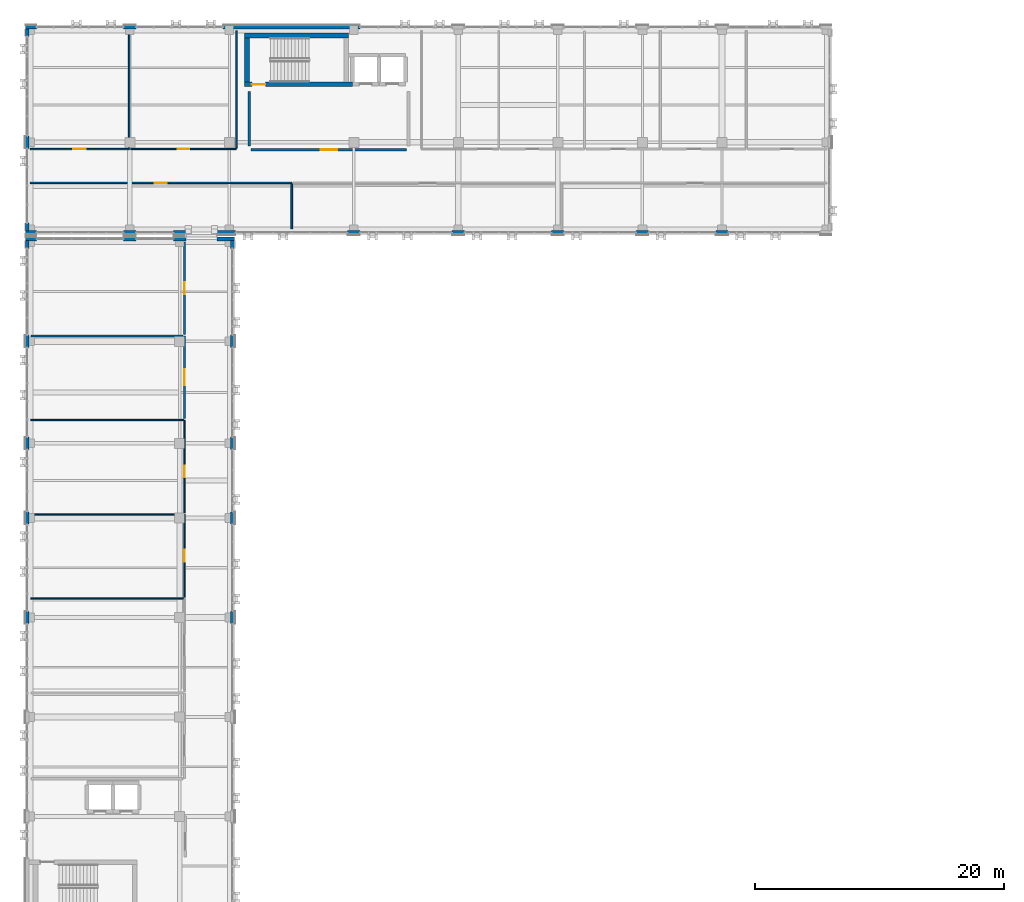
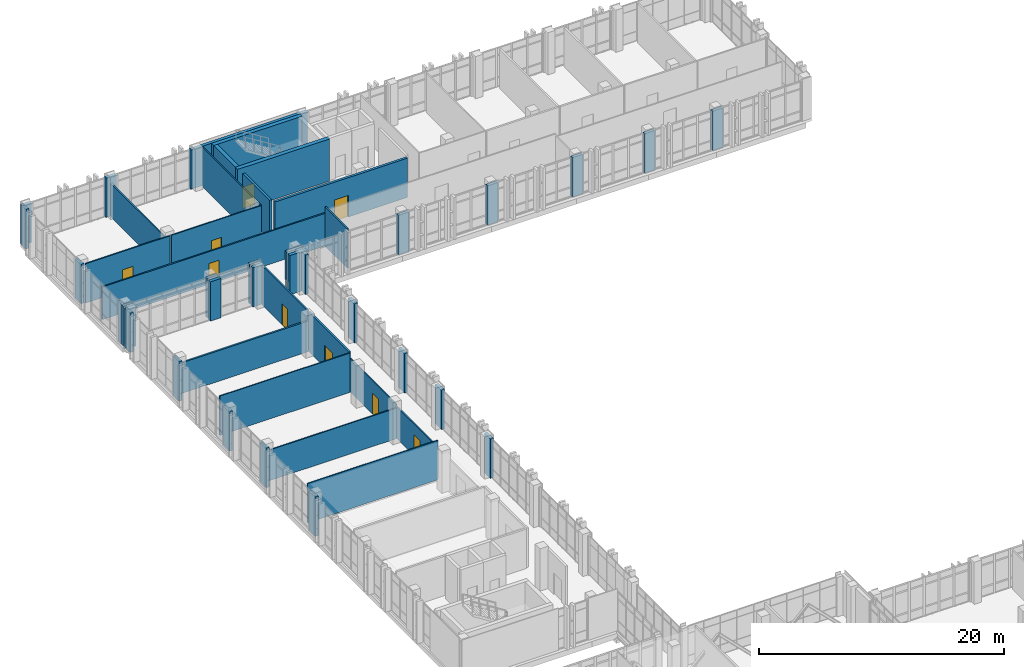
# One storey, part 137 of 165: 48 walls, 9 doors, 9 openings.
"""IFC4 building model written with IfcOpenShell, lengths in metres."""

from ifc_helpers import new_model, si_unit, direction, frame, frame_2d, origin, place, context, subcontext, project, spatial, rectangle, extrude, material, layer, layer_set, type_object, element, fill, save


model = new_model("IFC4")

# Units and contexts
model_context = context("Model", 3, precision=1e-05, world=origin(), true_north=direction((0.0, 1.0)))
body_context = subcontext(model_context, "Body", "Model", "MODEL_VIEW")
ifc_project = project(units=[si_unit("LENGTHUNIT", "METRE"), si_unit("AREAUNIT", "SQUARE_METRE"), si_unit("VOLUMEUNIT", "CUBIC_METRE"), si_unit("PLANEANGLEUNIT", "RADIAN"), si_unit("MASSUNIT", "GRAM", prefix="KILO")], contexts=[model_context])

# Site, building, storey
site_placement = place(None, origin())
site = spatial("IfcSite", under=ifc_project, at=site_placement, CompositionType="ELEMENT")
building_placement = place(site_placement, origin())
building = spatial("IfcBuilding", under=site, at=building_placement, Name="Qalavern Law Courts", CompositionType="ELEMENT")
storey_placement = place(building_placement, frame((0.0, 0.0, 14.39990234375)))
storey = spatial("IfcBuildingStorey", under=building, at=storey_placement, Name="L03", CompositionType="ELEMENT", Elevation=14.39990234375)

# Walls
ifc_material_1 = material(Name="Concrete C40/50", Category="concrete")
ifc_layer_1 = layer(ifc_material_1, 0.294921875)
ifc_layer_set_1 = layer_set([ifc_layer_1], Name="Concrete C40/50")
wall_type_1 = type_object("IfcWallType", Name="ENV-EW-295", PredefinedType="SOLIDWALL", material=ifc_layer_set_1)
for number, where, z_axis, x_axis, name in (
    (1, (18.652587890625, 64.89990234375, 0.0), (0.0, 0.0, 1.0), (0.0, 1.0, 0.0), "V3 exterior pier wall L03 east 4"),
    (2, (18.652587890625, 72.89990234375, 0.0), (0.0, 0.0, 1.0), (0.0, 1.0, 0.0), "V3 exterior pier wall L03 east 5"),
    (3, (18.652587890625, 78.89990234375, 0.0), (0.0, 0.0, 1.0), (0.0, 1.0, 0.0), "V3 exterior pier wall L03 east 6"),
    (4, (18.652587890625, 87.10009765625, 0.0), (0.0, 0.0, 1.0), (0.0, 1.0, 0.0), "V3 exterior pier wall L03 east 7"),
):
    element("IfcWall", number, at=place(storey_placement, frame(where, z_axis=z_axis, x_axis=x_axis)), inside=storey, type_object=wall_type_1, Name=name, PredefinedType="SOLIDWALL", context=body_context, shape_type="SweptSolid", body=[
        extrude(rectangle(XDim=1.0, YDim=0.294921875, at=frame_2d((0.5, 0.0))), origin(), (0.0, 0.0, 1.0), 3.920166015625),
    ])
wall_1_placement = place(storey_placement, frame((18.652587890625, 95.080078125, 0.0), z_axis=(0.0, 0.0, 1.0), x_axis=(0.0, 1.0, 0.0)))
element("IfcWall", 5, at=wall_1_placement, inside=storey, type_object=wall_type_1, Name="V3 exterior pier wall L03 east 8", PredefinedType="SOLIDWALL", context=body_context, shape_type="SweptSolid", body=[
    extrude(rectangle(XDim=0.60986328125, YDim=0.294921875, at=frame_2d((0.304931640625, 0.0))), origin(), (0.0, 0.0, 1.0), 3.920166015625),
])
wall_2_placement = place(storey_placement, frame((18.800048828125, 95.83251953125, 0.0), z_axis=(0.0, 0.0, 1.0), x_axis=(-1.0, 0.0, 0.0)))
element("IfcWall", 6, at=wall_2_placement, inside=storey, type_object=wall_type_1, Name="V3 exterior wall L03 north 1", PredefinedType="SOLIDWALL", context=body_context, shape_type="SweptSolid", body=[
    extrude(rectangle(XDim=1.400146484375, YDim=0.294921875, at=frame_2d((0.7001953125, 0.0))), origin(), (0.0, 0.0, 1.0), 3.920166015625),
])
for number, where, z_axis, x_axis, name in (
    (7, (14.89990234375, 95.83251953125, 0.0), (0.0, 0.0, 1.0), (-1.0, 0.0, 0.0), "V3 exterior pier wall L03 north 1"),
    (8, (10.89990234375, 95.83251953125, 0.0), (0.0, 0.0, 1.0), (-1.0, 0.0, 0.0), "V3 exterior pier wall L03 north 2"),
):
    element("IfcWall", number, at=place(storey_placement, frame(where, z_axis=z_axis, x_axis=x_axis)), inside=storey, type_object=wall_type_1, Name=name, PredefinedType="SOLIDWALL", context=body_context, shape_type="SweptSolid", body=[
        extrude(rectangle(XDim=1.0, YDim=0.294921875, at=frame_2d((0.5, 0.0))), origin(), (0.0, 0.0, 1.0), 3.920166015625),
    ])
wall_3_placement = place(storey_placement, frame((2.89990234375, 95.83251953125, 0.0), z_axis=(0.0, 0.0, 1.0), x_axis=(-1.0, 0.0, 0.0)))
element("IfcWall", 9, at=wall_3_placement, inside=storey, type_object=wall_type_1, Name="V3 exterior pier wall L03 north 3", PredefinedType="SOLIDWALL", context=body_context, shape_type="SweptSolid", body=[
    extrude(rectangle(XDim=0.89990234375, YDim=0.294921875, at=frame_2d((0.449951171875, 0.0))), origin(), (0.0, 0.0, 1.0), 3.920166015625),
])
wall_4_placement = place(storey_placement, frame((2.1474609375, 95.68994140625, 0.0), z_axis=(0.0, 0.0, 1.0), x_axis=(0.0, -1.0, 0.0)))
element("IfcWall", 10, at=wall_4_placement, inside=storey, type_object=wall_type_1, Name="V3 exterior pier wall L03 west 1", PredefinedType="SOLIDWALL", context=body_context, shape_type="SweptSolid", body=[
    extrude(rectangle(XDim=0.60986328125, YDim=0.294921875, at=frame_2d((0.304931640625, 0.0))), origin(), (0.0, 0.0, 1.0), 3.920166015625),
])
for number, where, z_axis, x_axis, name in (
    (11, (2.1474609375, 88.10009765625, 0.0), (0.0, 0.0, 1.0), (0.0, -1.0, 0.0), "V3 exterior pier wall L03 west 2"),
    (12, (2.1474609375, 79.89990234375, 0.0), (0.0, 0.0, 1.0), (0.0, -1.0, 0.0), "V3 exterior pier wall L03 west 3"),
    (13, (2.1474609375, 73.89990234375, 0.0), (0.0, 0.0, 1.0), (0.0, -1.0, 0.0), "V3 exterior pier wall L03 west 4"),
    (14, (2.1474609375, 65.89990234375, 0.0), (0.0, 0.0, 1.0), (0.0, -1.0, 0.0), "V3 exterior pier wall L03 west 5"),
):
    element("IfcWall", number, at=place(storey_placement, frame(where, z_axis=z_axis, x_axis=x_axis)), inside=storey, type_object=wall_type_1, Name=name, PredefinedType="SOLIDWALL", context=body_context, shape_type="SweptSolid", body=[
        extrude(rectangle(XDim=1.0, YDim=0.294921875, at=frame_2d((0.5, 0.0))), origin(), (0.0, 0.0, 1.0), 3.920166015625),
    ])
wall_5_placement = place(storey_placement, frame((2.0, 96.347412109375, 0.0), z_axis=(0.0, 0.0, 1.0), x_axis=(1.0, 0.0, 0.0)))
element("IfcWall", 15, at=wall_5_placement, inside=storey, type_object=wall_type_1, Name="V5 exterior pier wall L03 south 1", PredefinedType="SOLIDWALL", context=body_context, shape_type="SweptSolid", body=[
    extrude(rectangle(XDim=0.89990234375, YDim=0.294921875, at=frame_2d((0.449951171875, 0.0))), origin(), (0.0, 0.0, 1.0), 3.920166015625),
])
for number, where, z_axis, x_axis, name in (
    (16, (9.89990234375, 96.347412109375, 0.0), (0.0, 0.0, 1.0), (1.0, 0.0, 0.0), "V5 exterior pier wall L03 south 2"),
    (17, (13.89990234375, 96.347412109375, 0.0), (0.0, 0.0, 1.0), (1.0, 0.0, 0.0), "V5 exterior pier wall L03 south 3"),
):
    element("IfcWall", number, at=place(storey_placement, frame(where, z_axis=z_axis, x_axis=x_axis)), inside=storey, type_object=wall_type_1, Name=name, PredefinedType="SOLIDWALL", context=body_context, shape_type="SweptSolid", body=[
        extrude(rectangle(XDim=1.0, YDim=0.294921875, at=frame_2d((0.5, 0.0))), origin(), (0.0, 0.0, 1.0), 3.920166015625),
    ])
wall_6_placement = place(storey_placement, frame((17.39990234375, 96.347412109375, 0.0), z_axis=(0.0, 0.0, 1.0), x_axis=(1.0, 0.0, 0.0)))
element("IfcWall", 18, at=wall_6_placement, inside=storey, type_object=wall_type_1, Name="V5 exterior pier wall L03 south 1", PredefinedType="SOLIDWALL", context=body_context, shape_type="SweptSolid", body=[
    extrude(rectangle(XDim=1.5, YDim=0.294921875, at=frame_2d((0.75, 0.0))), origin(), (0.0, 0.0, 1.0), 3.920166015625),
])
for number, where, z_axis, x_axis, name in (
    (19, (27.89990234375, 96.347412109375, 0.0), (0.0, 0.0, 1.0), (1.0, 0.0, 0.0), "V5 exterior pier wall L03 south 2"),
    (20, (36.300048828125, 96.347412109375, 0.0), (0.0, 0.0, 1.0), (1.0, 0.0, 0.0), "V5 exterior pier wall L03 south 3"),
    (21, (44.300048828125, 96.347412109375, 0.0), (0.0, 0.0, 1.0), (1.0, 0.0, 0.0), "V5 exterior pier wall L03 south 4"),
    (22, (51.10009765625, 96.347412109375, 0.0), (0.0, 0.0, 1.0), (1.0, 0.0, 0.0), "V5 exterior pier wall L03 south 5"),
    (23, (57.5, 96.347412109375, 0.0), (0.0, 0.0, 1.0), (1.0, 0.0, 0.0), "V5 exterior pier wall L03 south 6"),
):
    element("IfcWall", number, at=place(storey_placement, frame(where, z_axis=z_axis, x_axis=x_axis)), inside=storey, type_object=wall_type_1, Name=name, PredefinedType="SOLIDWALL", context=body_context, shape_type="SweptSolid", body=[
        extrude(rectangle(XDim=1.0, YDim=0.294921875, at=frame_2d((0.5, 0.0))), origin(), (0.0, 0.0, 1.0), 3.920166015625),
    ])
wall_7_placement = place(storey_placement, frame((28.89990234375, 112.8525390625, 0.0), z_axis=(0.0, 0.0, 1.0), x_axis=(-1.0, 0.0, 0.0)))
element("IfcWall", 24, at=wall_7_placement, inside=storey, type_object=wall_type_1, Name="V5 exterior pier wall L03 north 6", PredefinedType="SOLIDWALL", context=body_context, shape_type="SweptSolid", body=[
    extrude(rectangle(XDim=11.0, YDim=0.294921875, at=frame_2d((5.5, 0.0))), origin(), (0.0, 0.0, 1.0), 3.920166015625),
])
wall_8_placement = place(storey_placement, frame((10.89990234375, 112.8525390625, 0.0), z_axis=(0.0, 0.0, 1.0), x_axis=(-1.0, 0.0, 0.0)))
element("IfcWall", 25, at=wall_8_placement, inside=storey, type_object=wall_type_1, Name="V5 exterior pier wall L03 north 7", PredefinedType="SOLIDWALL", context=body_context, shape_type="SweptSolid", body=[
    extrude(rectangle(XDim=1.0, YDim=0.294921875, at=frame_2d((0.5, 0.0))), origin(), (0.0, 0.0, 1.0), 3.920166015625),
])
wall_9_placement = place(storey_placement, frame((2.89990234375, 112.8525390625, 0.0), z_axis=(0.0, 0.0, 1.0), x_axis=(-1.0, 0.0, 0.0)))
element("IfcWall", 26, at=wall_9_placement, inside=storey, type_object=wall_type_1, Name="V5 exterior pier wall L03 north 8", PredefinedType="SOLIDWALL", context=body_context, shape_type="SweptSolid", body=[
    extrude(rectangle(XDim=0.89990234375, YDim=0.294921875, at=frame_2d((0.449951171875, 0.0))), origin(), (0.0, 0.0, 1.0), 3.920166015625),
])
wall_10_placement = place(storey_placement, frame((2.1474609375, 112.7099609375, 0.0), z_axis=(0.0, 0.0, 1.0), x_axis=(0.0, -1.0, 0.0)))
element("IfcWall", 27, at=wall_10_placement, inside=storey, type_object=wall_type_1, Name="V5 exterior pier wall L03 west 1", PredefinedType="SOLIDWALL", context=body_context, shape_type="SweptSolid", body=[
    extrude(rectangle(XDim=0.60986328125, YDim=0.294921875, at=frame_2d((0.304931640625, 0.0))), origin(), (0.0, 0.0, 1.0), 3.920166015625),
])
wall_11_placement = place(storey_placement, frame((2.1474609375, 104.10009765625, 0.0), z_axis=(0.0, 0.0, 1.0), x_axis=(0.0, -1.0, 0.0)))
element("IfcWall", 28, at=wall_11_placement, inside=storey, type_object=wall_type_1, Name="V5 exterior pier wall L03 west 2", PredefinedType="SOLIDWALL", context=body_context, shape_type="SweptSolid", body=[
    extrude(rectangle(XDim=1.0, YDim=0.294921875, at=frame_2d((0.5, 0.0))), origin(), (0.0, 0.0, 1.0), 3.920166015625),
])
wall_12_placement = place(storey_placement, frame((2.1474609375, 97.10009765625, 0.0), z_axis=(0.0, 0.0, 1.0), x_axis=(0.0, -1.0, 0.0)))
element("IfcWall", 29, at=wall_12_placement, inside=storey, type_object=wall_type_1, Name="V5 exterior pier wall L03 west 3", PredefinedType="SOLIDWALL", context=body_context, shape_type="SweptSolid", body=[
    extrude(rectangle(XDim=0.610107421875, YDim=0.294921875, at=frame_2d((0.30517578125, 0.0))), origin(), (0.0, 0.0, 1.0), 3.920166015625),
])

# Wall, opening, door
ifc_material_2 = material(Name="Concrete C45/55", Category="concrete")
ifc_layer_2 = layer(ifc_material_2, 0.375)
ifc_layer_set_2 = layer_set([ifc_layer_2], Name="Concrete C45/55")
wall_type_2 = type_object("IfcWallType", Name="INT-CW-375", PredefinedType="SHEAR", material=ifc_layer_set_2)
wall_13_placement = place(storey_placement, frame((19.625, 108.262451171875, 0.0), z_axis=(0.0, 0.0, 1.0), x_axis=(1.0, 0.0, 0.0)))
wall_13 = element("IfcWall", 30, at=wall_13_placement, inside=storey, type_object=wall_type_2, Name="Core K3 stair shear wall L03 south", PredefinedType="SHEAR", context=body_context, shape_type="SweptSolid", body=[
    extrude(rectangle(XDim=8.66943359375, YDim=0.375, at=frame_2d((4.334716796875, 0.0))), origin(), (0.0, 0.0, 1.0), 4.2001953125),
])
opening_1_placement = place(wall_13_placement, frame((0.574951171875, 0.0, 0.0)))
opening_1 = element("IfcOpeningElement", 31, at=opening_1_placement, cuts=wall_13, Name="Opening L03-D079", PredefinedType="OPENING", context=body_context, shape_type="SweptSolid", body=[
    extrude(rectangle(XDim=1.10009765625, YDim=2.14990234375, at=frame_2d((0.550048828125, 1.074951171875))), frame((0.0, 0.202392578125, 0.0), z_axis=(0.0, -1.0, 0.0), x_axis=(1.0, 0.0, 0.0)), (0.0, 0.0, 1.0), 0.40478515625),
])
ifc_material_3 = material(Name="Steel fire-rated stair enclosure door", Category="steel")
door_type_1 = type_object("IfcDoorType", Name="INT-FD-1100x2150", OperationType="NOTDEFINED", PredefinedType="DOOR", material=ifc_material_3)
door_1_placement = place(opening_1_placement, frame((1.10009765625, 0.0, 0.0), z_axis=(0.0, 0.0, 1.0), x_axis=(-1.0, 0.0, 0.0)))
door_1 = element("IfcDoor", 32, at=door_1_placement, inside=storey, type_object=door_type_1, Name="Stair K3 fire door L03", OperationType="SINGLE_SWING_RIGHT", OverallHeight=2.14990234375, OverallWidth=1.10009765625, PredefinedType="DOOR", context=body_context, shape_type="SweptSolid", body=[
    extrude(rectangle(XDim=1.10009765625, YDim=2.14990234375, at=frame_2d((0.550048828125, 1.074951171875))), frame((0.0, 0.02490234375, 0.0), z_axis=(0.0, -1.0, 0.0), x_axis=(1.0, 0.0, 0.0)), (0.0, 0.0, 1.0), 0.050048828125),
])
fill(opening_1, door_1)

# Walls
wall_14_placement = place(storey_placement, frame((27.97509765625, 112.1875, 0.0), z_axis=(0.0, 0.0, 1.0), x_axis=(-1.0, 0.0, 0.0)))
element("IfcWall", 33, at=wall_14_placement, inside=storey, type_object=wall_type_2, Name="Core K3 stair shear wall L03 north", PredefinedType="SHEAR", context=body_context, shape_type="SweptSolid", body=[
    extrude(rectangle(XDim=8.35009765625, YDim=0.375, at=frame_2d((4.175048828125, 0.0))), origin(), (0.0, 0.0, 1.0), 4.2001953125),
])
wall_15_placement = place(storey_placement, frame((19.8125, 112.0, 0.0), z_axis=(0.0, 0.0, 1.0), x_axis=(0.0, -1.0, 0.0)))
element("IfcWall", 34, at=wall_15_placement, inside=storey, type_object=wall_type_2, Name="Core K3 stair shear wall L03 west", PredefinedType="SHEAR", context=body_context, shape_type="SweptSolid", body=[
    extrude(rectangle(XDim=3.550048828125, YDim=0.375, at=frame_2d((1.77490234375, 0.0))), origin(), (0.0, 0.0, 1.0), 4.2001953125),
])

# Wall, opening, door
ifc_layer_3 = layer(ifc_material_1, 0.22509765625)
ifc_layer_set_3 = layer_set([ifc_layer_3], Name="Concrete C40/50")
wall_type_3 = type_object("IfcWallType", Name="INT-FW-225", PredefinedType="PARTITIONING", material=ifc_layer_set_3)
wall_16_placement = place(storey_placement, frame((20.14990234375, 103.0, 0.0), z_axis=(0.0, 0.0, 1.0), x_axis=(1.0, 0.0, 0.0)))
wall_16 = element("IfcWall", 35, at=wall_16_placement, inside=storey, type_object=wall_type_3, Name="Core K3 firefighting/stair lobby fire wall L03", PredefinedType="PARTITIONING", context=body_context, shape_type="SweptSolid", body=[
    extrude(rectangle(XDim=12.5, YDim=0.22509765625, at=frame_2d((6.25, 0.0))), origin(), (0.0, 0.0, 1.0), 3.920166015625),
])
opening_2_placement = place(wall_16_placement, frame((5.60009765625, 0.0, 0.0)))
opening_2 = element("IfcOpeningElement", 36, at=opening_2_placement, cuts=wall_16, Name="Opening L03-D080", PredefinedType="OPENING", context=body_context, shape_type="SweptSolid", body=[
    extrude(rectangle(XDim=1.300048828125, YDim=2.14990234375, at=frame_2d((0.64990234375, 1.074951171875))), frame((0.0, 0.12744140625, 0.0), z_axis=(0.0, -1.0, 0.0), x_axis=(1.0, 0.0, 0.0)), (0.0, 0.0, 1.0), 0.2548828125),
])
ifc_material_4 = material(Name="Steel fire-rated frame and acoustic timber leaves", Category="steel")
door_type_2 = type_object("IfcDoorType", Name="INT-FD-1300x2150", OperationType="DOUBLE_DOOR_SINGLE_SWING", PredefinedType="DOOR", material=ifc_material_4)
door_2_placement = place(opening_2_placement, origin())
door_2 = element("IfcDoor", 37, at=door_2_placement, inside=storey, type_object=door_type_2, Name="Core K3 lobby fire door L03", OperationType="DOUBLE_DOOR_SINGLE_SWING", OverallHeight=2.14990234375, OverallWidth=1.300048828125, PredefinedType="DOOR", context=body_context, shape_type="SweptSolid", body=[
    extrude(rectangle(XDim=1.300048828125, YDim=2.14990234375, at=frame_2d((0.64990234375, 1.074951171875))), frame((0.0, 0.02490234375, 0.0), z_axis=(0.0, -1.0, 0.0), x_axis=(1.0, 0.0, 0.0)), (0.0, 0.0, 1.0), 0.050048828125),
])
fill(opening_2, door_2)

# Walls
wall_17_placement = place(storey_placement, frame((20.0, 103.300048828125, 0.0), z_axis=(0.0, 0.0, 1.0), x_axis=(0.0, 1.0, 0.0)))
element("IfcWall", 38, at=wall_17_placement, inside=storey, type_object=wall_type_3, Name="Core K3 lobby return wall L03 west", PredefinedType="PARTITIONING", context=body_context, shape_type="SweptSolid", body=[
    extrude(rectangle(XDim=4.39990234375, YDim=0.22509765625, at=frame_2d((2.199951171875, 0.0))), origin(), (0.0, 0.0, 1.0), 3.920166015625),
])
ifc_material_5 = material(Name="Gypsum shaft/chase partition")
ifc_layer_4 = layer(ifc_material_5, 0.092041015625)
ifc_layer_set_4 = layer_set([ifc_layer_4], Name="Gypsum shaft/chase partition")
wall_type_4 = type_object("IfcWallType", Name="INT-PW-092", PredefinedType="PARTITIONING", material=ifc_layer_set_4)
wall_18_placement = place(storey_placement, frame((2.43994140625, 66.924072265625, 0.0), z_axis=(0.0, 0.0, 1.0), x_axis=(1.0, 0.0, 0.0)))
element("IfcWall", 39, at=wall_18_placement, inside=storey, type_object=wall_type_4, Name="Administrative Courtroom cross partition L03 north", PredefinedType="PARTITIONING", context=body_context, shape_type="SweptSolid", body=[
    extrude(rectangle(XDim=12.2841796875, YDim=0.092041015625, at=frame_2d((6.14208984375, 0.0))), origin(), (0.0, 0.0, 1.0), 3.920166015625),
])

# Wall, opening, door
ifc_material_6 = material(Name="Gypsum sanitary partition")
ifc_layer_5 = layer(ifc_material_6, 0.10205078125)
ifc_layer_set_5 = layer_set([ifc_layer_5], Name="Gypsum sanitary partition")
wall_type_5 = type_object("IfcWallType", Name="INT-PW-102", PredefinedType="PARTITIONING", material=ifc_layer_set_5)
wall_19_placement = place(storey_placement, frame((14.7900390625, 73.804931640625, 0.0), z_axis=(0.0, 0.0, 1.0), x_axis=(0.0, 1.0, 0.0)))
wall_19 = element("IfcWall", 40, at=wall_19_placement, inside=storey, type_object=wall_type_5, Name="Jury Deliberation Suite corridor partition L03", PredefinedType="PARTITIONING", context=body_context, shape_type="SweptSolid", body=[
    extrude(rectangle(XDim=7.466064453125, YDim=0.10205078125, at=frame_2d((3.73291015625, 0.0))), origin(), (0.0, 0.0, 1.0), 3.35009765625),
])
opening_3_placement = place(wall_19_placement, frame((2.85302734375, 0.0, 0.0)))
opening_3 = element("IfcOpeningElement", 41, at=opening_3_placement, cuts=wall_19, Name="Opening L03-D225", PredefinedType="OPENING", context=body_context, shape_type="SweptSolid", body=[
    extrude(rectangle(XDim=0.9599609375, YDim=2.080078125, at=frame_2d((0.47998046875, 1.0400390625))), frame((0.0, 0.06591796875, 0.0), z_axis=(0.0, -1.0, 0.0), x_axis=(1.0, 0.0, 0.0)), (0.0, 0.0, 1.0), 0.1318359375),
])
ifc_material_7 = material(Name="Timber Counsel Consultation door", Category="wood")
door_type_3 = type_object("IfcDoorType", Name="INT-ID-960x2080", OperationType="NOTDEFINED", PredefinedType="DOOR", material=ifc_material_7)
door_3_placement = place(opening_3_placement, frame((0.9599609375, 0.0, 0.0), z_axis=(0.0, 0.0, 1.0), x_axis=(-1.0, 0.0, 0.0)))
door_3 = element("IfcDoor", 42, at=door_3_placement, inside=storey, type_object=door_type_3, Name="Jury Deliberation Suite door L03", OperationType="SINGLE_SWING_LEFT", OverallHeight=2.080078125, OverallWidth=0.9599609375, PredefinedType="DOOR", context=body_context, shape_type="SweptSolid", body=[
    extrude(rectangle(XDim=0.9599609375, YDim=2.080078125, at=frame_2d((0.47998046875, 1.0400390625))), frame((0.0, 0.02490234375, 0.0), z_axis=(0.0, -1.0, 0.0), x_axis=(1.0, 0.0, 0.0)), (0.0, 0.0, 1.0), 0.050048828125),
])
fill(opening_3, door_3)

# Wall
wall_20_placement = place(storey_placement, frame((2.43994140625, 81.27099609375, 0.0), z_axis=(0.0, 0.0, 1.0), x_axis=(1.0, 0.0, 0.0)))
element("IfcWall", 43, at=wall_20_placement, inside=storey, type_object=wall_type_5, Name="Jury Deliberation Suite cross partition L03 north", PredefinedType="PARTITIONING", context=body_context, shape_type="SweptSolid", body=[
    extrude(rectangle(XDim=12.279052734375, YDim=0.10205078125, at=frame_2d((6.1396484375, 0.0))), origin(), (0.0, 0.0, 1.0), 3.920166015625),
])

# Wall, opening, door
ifc_material_8 = material(Name="Gypsum stud partition")
ifc_layer_6 = layer(ifc_material_8, 0.112060546875)
ifc_layer_set_6 = layer_set([ifc_layer_6], Name="Gypsum stud partition")
wall_type_6 = type_object("IfcWallType", Name="INT-PW-112", PredefinedType="PARTITIONING", material=ifc_layer_set_6)
wall_21_placement = place(storey_placement, frame((14.7900390625, 67.0439453125, 0.0), z_axis=(0.0, 0.0, 1.0), x_axis=(0.0, 1.0, 0.0)))
wall_21 = element("IfcWall", 44, at=wall_21_placement, inside=storey, type_object=wall_type_6, Name="Witness Waiting Room corridor partition L03", PredefinedType="PARTITIONING", context=body_context, shape_type="SweptSolid", body=[
    extrude(rectangle(XDim=6.64111328125, YDim=0.112060546875, at=frame_2d((3.320556640625, 0.0))), origin(), (0.0, 0.0, 1.0), 3.150146484375),
])
opening_4_placement = place(wall_21_placement, frame((2.83056640625, 0.0, 0.0)))
opening_4 = element("IfcOpeningElement", 45, at=opening_4_placement, cuts=wall_21, Name="Opening L03-D224", PredefinedType="OPENING", context=body_context, shape_type="SweptSolid", body=[
    extrude(rectangle(XDim=0.97998046875, YDim=2.090087890625, at=frame_2d((0.489990234375, 1.044921875))), frame((0.0, 0.07080078125, 0.0), z_axis=(0.0, -1.0, 0.0), x_axis=(1.0, 0.0, 0.0)), (0.0, 0.0, 1.0), 0.141845703125),
])
ifc_material_9 = material(Name="Timber Legal Research Office door", Category="wood")
door_type_4 = type_object("IfcDoorType", Name="INT-ID-980x2090", OperationType="NOTDEFINED", PredefinedType="DOOR", material=ifc_material_9)
door_4_placement = place(opening_4_placement, frame((0.97998046875, 0.0, 0.0), z_axis=(0.0, 0.0, 1.0), x_axis=(-1.0, 0.0, 0.0)))
door_4 = element("IfcDoor", 46, at=door_4_placement, inside=storey, type_object=door_type_4, Name="Witness Waiting Room door L03", OperationType="SINGLE_SWING_RIGHT", OverallHeight=2.090087890625, OverallWidth=0.97998046875, PredefinedType="DOOR", context=body_context, shape_type="SweptSolid", body=[
    extrude(rectangle(XDim=0.97998046875, YDim=2.090087890625, at=frame_2d((0.489990234375, 1.044921875))), frame((0.0, 0.02490234375, 0.0), z_axis=(0.0, -1.0, 0.0), x_axis=(1.0, 0.0, 0.0)), (0.0, 0.0, 1.0), 0.050048828125),
])
fill(opening_4, door_4)

# Wall
wall_22_placement = place(storey_placement, frame((2.43994140625, 73.68505859375, 0.0), z_axis=(0.0, 0.0, 1.0), x_axis=(1.0, 0.0, 0.0)))
element("IfcWall", 47, at=wall_22_placement, inside=storey, type_object=wall_type_6, Name="Witness Waiting Room cross partition L03 north", PredefinedType="PARTITIONING", context=body_context, shape_type="SweptSolid", body=[
    extrude(rectangle(XDim=12.274169921875, YDim=0.112060546875, at=frame_2d((6.13720703125, 0.0))), origin(), (0.0, 0.0, 1.0), 3.050048828125),
])

# Wall, opening, door
wall_23_placement = place(storey_placement, frame((10.455078125, 103.06005859375, 0.0), z_axis=(0.0, 0.0, 1.0), x_axis=(1.0, 0.0, 0.0)))
wall_23 = element("IfcWall", 48, at=wall_23_placement, inside=storey, type_object=wall_type_6, Name="Accessible WC corridor partition L03", PredefinedType="PARTITIONING", context=body_context, shape_type="SweptSolid", body=[
    extrude(rectangle(XDim=8.5048828125, YDim=0.112060546875, at=frame_2d((4.25244140625, 0.0))), origin(), (0.0, 0.0, 1.0), 3.920166015625),
])
opening_5_placement = place(wall_23_placement, frame((3.79248046875, 0.0, 0.0)))
opening_5 = element("IfcOpeningElement", 49, at=opening_5_placement, cuts=wall_23, Name="Opening L03-D378", PredefinedType="OPENING", context=body_context, shape_type="SweptSolid", body=[
    extrude(rectangle(XDim=0.919921875, YDim=2.06005859375, at=frame_2d((0.4599609375, 1.030029296875))), frame((0.0, 0.07080078125, 0.0), z_axis=(0.0, -1.0, 0.0), x_axis=(1.0, 0.0, 0.0)), (0.0, 0.0, 1.0), 0.141845703125),
])
ifc_material_10 = material(Name="Public and Staff WC door")
door_type_5 = type_object("IfcDoorType", Name="INT-ID-920x2060", OperationType="NOTDEFINED", PredefinedType="DOOR", material=ifc_material_10)
door_5_placement = place(opening_5_placement, origin())
door_5 = element("IfcDoor", 50, at=door_5_placement, inside=storey, type_object=door_type_5, Name="Accessible WC door L03", OperationType="SINGLE_SWING_LEFT", OverallHeight=2.06005859375, OverallWidth=0.919921875, PredefinedType="DOOR", context=body_context, shape_type="SweptSolid", body=[
    extrude(rectangle(XDim=0.919921875, YDim=2.06005859375, at=frame_2d((0.4599609375, 1.030029296875))), frame((0.0, 0.02490234375, 0.0), z_axis=(0.0, -1.0, 0.0), x_axis=(1.0, 0.0, 0.0)), (0.0, 0.0, 1.0), 0.050048828125),
])
fill(opening_5, door_5)

# Wall
wall_24_placement = place(storey_placement, frame((18.9599609375, 103.135986328125, 0.0), z_axis=(0.0, 0.0, 1.0), x_axis=(0.0, 1.0, 0.0)))
element("IfcWall", 51, at=wall_24_placement, inside=storey, type_object=wall_type_6, Name="Accessible WC cross partition L03 east", PredefinedType="PARTITIONING", context=body_context, shape_type="SweptSolid", body=[
    extrude(rectangle(XDim=9.424072265625, YDim=0.112060546875, at=frame_2d((4.7119140625, 0.0))), origin(), (0.0, 0.0, 1.0), 3.920166015625),
])

# Wall, opening, door
ifc_layer_7 = layer(ifc_material_8, 0.1220703125)
ifc_layer_set_7 = layer_set([ifc_layer_7], Name="Gypsum stud partition")
wall_type_7 = type_object("IfcWallType", Name="INT-PW-122", PredefinedType="PARTITIONING", material=ifc_layer_set_7)
wall_25_placement = place(storey_placement, frame((2.3798828125, 103.06005859375, 0.0), z_axis=(0.0, 0.0, 1.0), x_axis=(1.0, 0.0, 0.0)))
wall_25 = element("IfcWall", 52, at=wall_25_placement, inside=storey, type_object=wall_type_7, Name="Judicial Conference Room corridor partition L03", PredefinedType="PARTITIONING", context=body_context, shape_type="SweptSolid", body=[
    extrude(rectangle(XDim=7.955078125, YDim=0.1220703125, at=frame_2d((3.9775390625, 0.0))), origin(), (0.0, 0.0, 1.0), 3.920166015625),
])
opening_6_placement = place(wall_25_placement, frame((3.487548828125, 0.0, 0.0)))
opening_6 = element("IfcOpeningElement", 53, at=opening_6_placement, cuts=wall_25, Name="Opening L03-D377", PredefinedType="OPENING", context=body_context, shape_type="SweptSolid", body=[
    extrude(rectangle(XDim=0.97998046875, YDim=2.090087890625, at=frame_2d((0.489990234375, 1.044921875))), frame((0.0, 0.075927734375, 0.0), z_axis=(0.0, -1.0, 0.0), x_axis=(1.0, 0.0, 0.0)), (0.0, 0.0, 1.0), 0.15185546875),
])
door_6_placement = place(opening_6_placement, origin())
door_6 = element("IfcDoor", 54, at=door_6_placement, inside=storey, type_object=door_type_4, Name="Judicial Conference Room door L03", OperationType="SINGLE_SWING_RIGHT", OverallHeight=2.090087890625, OverallWidth=0.97998046875, PredefinedType="DOOR", context=body_context, shape_type="SweptSolid", body=[
    extrude(rectangle(XDim=0.97998046875, YDim=2.090087890625, at=frame_2d((0.489990234375, 1.044921875))), frame((0.0, 0.02490234375, 0.0), z_axis=(0.0, -1.0, 0.0), x_axis=(1.0, 0.0, 0.0)), (0.0, 0.0, 1.0), 0.050048828125),
])
fill(opening_6, door_6)

# Wall
wall_26_placement = place(storey_placement, frame((10.3349609375, 103.14111328125, 0.0), z_axis=(0.0, 0.0, 1.0), x_axis=(0.0, 1.0, 0.0)))
element("IfcWall", 55, at=wall_26_placement, inside=storey, type_object=wall_type_7, Name="Judicial Conference Room cross partition L03 east", PredefinedType="PARTITIONING", context=body_context, shape_type="SweptSolid", body=[
    extrude(rectangle(XDim=9.4189453125, YDim=0.1220703125, at=frame_2d((4.70947265625, 0.0))), origin(), (0.0, 0.0, 1.0), 3.35009765625),
])

# Wall, opening, door
ifc_layer_8 = layer(ifc_material_8, 0.132080078125)
ifc_layer_set_8 = layer_set([ifc_layer_8], Name="Gypsum stud partition")
wall_type_8 = type_object("IfcWallType", Name="INT-PW-132", PredefinedType="PARTITIONING", material=ifc_layer_set_8)
wall_27_placement = place(storey_placement, frame((2.3798828125, 100.340087890625, 0.0), z_axis=(0.0, 0.0, 1.0), x_axis=(1.0, 0.0, 0.0)))
wall_27 = element("IfcWall", 56, at=wall_27_placement, inside=storey, type_object=wall_type_8, Name="Judges' Chambers corridor partition L03", PredefinedType="PARTITIONING", context=body_context, shape_type="SweptSolid", body=[
    extrude(rectangle(XDim=21.0322265625, YDim=0.132080078125, at=frame_2d((10.51611328125, 0.0))), origin(), (0.0, 0.0, 1.0), 3.25),
])
opening_7_placement = place(wall_27_placement, frame((10.035888671875, 0.0, 0.0)))
opening_7 = element("IfcOpeningElement", 57, at=opening_7_placement, cuts=wall_27, Name="Opening L03-D369", PredefinedType="OPENING", context=body_context, shape_type="SweptSolid", body=[
    extrude(rectangle(XDim=0.9599609375, YDim=2.080078125, at=frame_2d((0.47998046875, 1.0400390625))), frame((0.0, 0.0810546875, 0.0), z_axis=(0.0, -1.0, 0.0), x_axis=(1.0, 0.0, 0.0)), (0.0, 0.0, 1.0), 0.161865234375),
])
door_7_placement = place(opening_7_placement, frame((0.9599609375, 0.0, 0.0), z_axis=(0.0, 0.0, 1.0), x_axis=(-1.0, 0.0, 0.0)))
door_7 = element("IfcDoor", 58, at=door_7_placement, inside=storey, type_object=door_type_3, Name="Judges' Chambers door L03", OperationType="SINGLE_SWING_RIGHT", OverallHeight=2.080078125, OverallWidth=0.9599609375, PredefinedType="DOOR", context=body_context, shape_type="SweptSolid", body=[
    extrude(rectangle(XDim=0.9599609375, YDim=2.080078125, at=frame_2d((0.47998046875, 1.0400390625))), frame((0.0, 0.02490234375, 0.0), z_axis=(0.0, -1.0, 0.0), x_axis=(1.0, 0.0, 0.0)), (0.0, 0.0, 1.0), 0.050048828125),
])
fill(opening_7, door_7)

# Wall
wall_28_placement = place(storey_placement, frame((23.412109375, 96.639892578125, 0.0), z_axis=(0.0, 0.0, 1.0), x_axis=(0.0, 1.0, 0.0)))
element("IfcWall", 59, at=wall_28_placement, inside=storey, type_object=wall_type_8, Name="Judges' Chambers cross partition L03 east", PredefinedType="PARTITIONING", context=body_context, shape_type="SweptSolid", body=[
    extrude(rectangle(XDim=3.614013671875, YDim=0.132080078125, at=frame_2d((1.80712890625, 0.0))), origin(), (0.0, 0.0, 1.0), 3.920166015625),
])

# Wall, opening, door
ifc_layer_9 = layer(ifc_material_8, 0.152099609375)
ifc_layer_set_9 = layer_set([ifc_layer_9], Name="Gypsum stud partition")
wall_type_9 = type_object("IfcWallType", Name="INT-PW-152", PredefinedType="PARTITIONING", material=ifc_layer_set_9)
wall_29_placement = place(storey_placement, frame((14.7900390625, 88.152099609375, 0.0), z_axis=(0.0, 0.0, 1.0), x_axis=(0.0, 1.0, 0.0)))
wall_29 = element("IfcWall", 60, at=wall_29_placement, inside=storey, type_object=wall_type_9, Name="Public WC corridor partition L03", PredefinedType="PARTITIONING", context=body_context, shape_type="SweptSolid", body=[
    extrude(rectangle(XDim=7.447998046875, YDim=0.152099609375, at=frame_2d((3.72412109375, 0.0))), origin(), (0.0, 0.0, 1.0), 3.920166015625),
])
opening_8_placement = place(wall_29_placement, frame((3.25390625, 0.0, 0.0)))
opening_8 = element("IfcOpeningElement", 61, at=opening_8_placement, cuts=wall_29, Name="Opening L03-D227", PredefinedType="OPENING", context=body_context, shape_type="SweptSolid", body=[
    extrude(rectangle(XDim=0.93994140625, YDim=2.070068359375, at=frame_2d((0.469970703125, 1.03515625))), frame((0.0, 0.0908203125, 0.0), z_axis=(0.0, -1.0, 0.0), x_axis=(1.0, 0.0, 0.0)), (0.0, 0.0, 1.0), 0.181884765625),
])
ifc_material_11 = material(Name="Accessible WC outward-clear door")
door_type_6 = type_object("IfcDoorType", Name="INT-ID-940x2070", OperationType="NOTDEFINED", PredefinedType="DOOR", material=ifc_material_11)
door_8_placement = place(opening_8_placement, frame((0.93994140625, 0.0, 0.0), z_axis=(0.0, 0.0, 1.0), x_axis=(-1.0, 0.0, 0.0)))
door_8 = element("IfcDoor", 62, at=door_8_placement, inside=storey, type_object=door_type_6, Name="Public WC door L03", OperationType="SINGLE_SWING_LEFT", OverallHeight=2.070068359375, OverallWidth=0.93994140625, PredefinedType="DOOR", context=body_context, shape_type="SweptSolid", body=[
    extrude(rectangle(XDim=0.93994140625, YDim=2.070068359375, at=frame_2d((0.469970703125, 1.03515625))), frame((0.0, 0.02490234375, 0.0), z_axis=(0.0, -1.0, 0.0), x_axis=(1.0, 0.0, 0.0)), (0.0, 0.0, 1.0), 0.050048828125),
])
fill(opening_8, door_8)

ifc_layer_10 = layer(ifc_material_8, 0.162109375)
ifc_layer_set_10 = layer_set([ifc_layer_10], Name="Gypsum stud partition")
wall_type_10 = type_object("IfcWallType", Name="INT-PW-162", PredefinedType="PARTITIONING", material=ifc_layer_set_10)
wall_30_placement = place(storey_placement, frame((14.7900390625, 81.39111328125, 0.0), z_axis=(0.0, 0.0, 1.0), x_axis=(0.0, 1.0, 0.0)))
wall_30 = element("IfcWall", 63, at=wall_30_placement, inside=storey, type_object=wall_type_10, Name="Judicial Clerks' Office corridor partition L03", PredefinedType="PARTITIONING", context=body_context, shape_type="SweptSolid", body=[
    extrude(rectangle(XDim=6.640869140625, YDim=0.162109375, at=frame_2d((3.3203125, 0.0))), origin(), (0.0, 0.0, 1.0), 3.920166015625),
])
opening_9_placement = place(wall_30_placement, frame((2.680419921875, 0.0, 0.0)))
opening_9 = element("IfcOpeningElement", 64, at=opening_9_placement, cuts=wall_30, Name="Opening L03-D226", PredefinedType="OPENING", context=body_context, shape_type="SweptSolid", body=[
    extrude(rectangle(XDim=1.280029296875, YDim=2.179931640625, at=frame_2d((0.64013671875, 1.08984375))), frame((0.0, 0.095947265625, 0.0), z_axis=(0.0, -1.0, 0.0), x_axis=(1.0, 0.0, 0.0)), (0.0, 0.0, 1.0), 0.19189453125),
])
ifc_material_12 = material(Name="Wide oak Judicial Conference door")
door_type_7 = type_object("IfcDoorType", Name="INT-ID-1280x2180", OperationType="NOTDEFINED", PredefinedType="DOOR", material=ifc_material_12)
door_9_placement = place(opening_9_placement, frame((1.280029296875, 0.0, 0.0), z_axis=(0.0, 0.0, 1.0), x_axis=(-1.0, 0.0, 0.0)))
door_9 = element("IfcDoor", 65, at=door_9_placement, inside=storey, type_object=door_type_7, Name="Judicial Clerks' Office door L03", OperationType="SINGLE_SWING_RIGHT", OverallHeight=2.179931640625, OverallWidth=1.280029296875, PredefinedType="DOOR", context=body_context, shape_type="SweptSolid", body=[
    extrude(rectangle(XDim=1.280029296875, YDim=2.179931640625, at=frame_2d((0.64013671875, 1.08984375))), frame((0.0, 0.02490234375, 0.0), z_axis=(0.0, -1.0, 0.0), x_axis=(1.0, 0.0, 0.0)), (0.0, 0.0, 1.0), 0.050048828125),
])
fill(opening_9, door_9)

# Wall
wall_31_placement = place(storey_placement, frame((2.43994140625, 88.031982421875, 0.0), z_axis=(0.0, 0.0, 1.0), x_axis=(1.0, 0.0, 0.0)))
element("IfcWall", 66, at=wall_31_placement, inside=storey, type_object=wall_type_10, Name="Judicial Clerks' Office cross partition L03 north", PredefinedType="PARTITIONING", context=body_context, shape_type="SweptSolid", body=[
    extrude(rectangle(XDim=12.2490234375, YDim=0.162109375, at=frame_2d((6.12451171875, 0.0))), origin(), (0.0, 0.0, 1.0), 3.050048828125),
])

save(model, "model.ifc")
